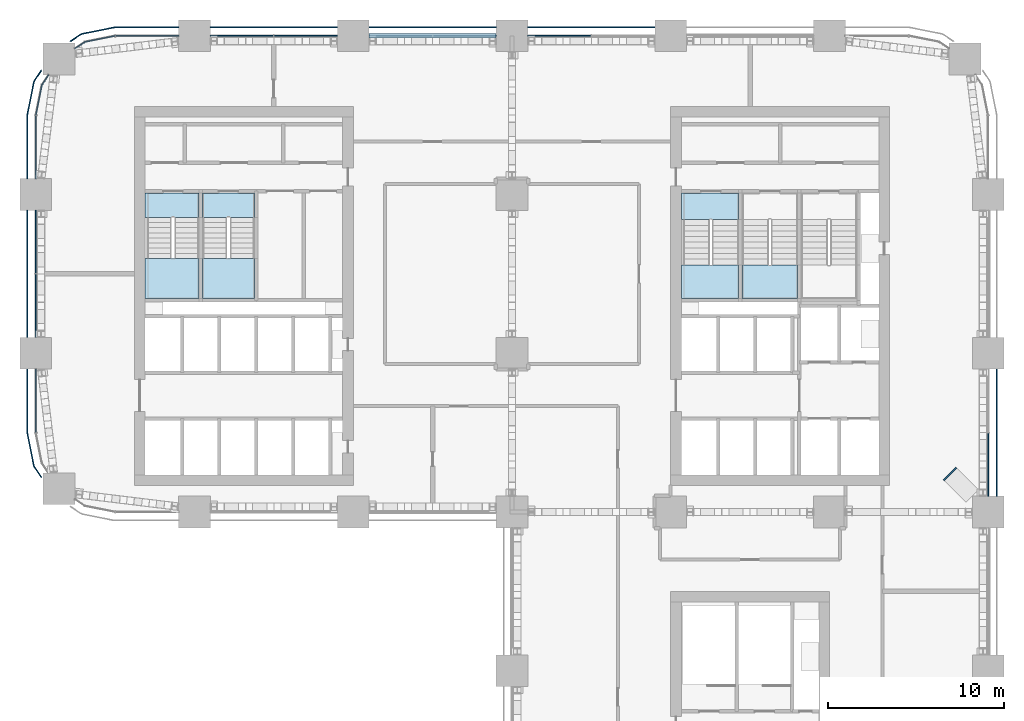
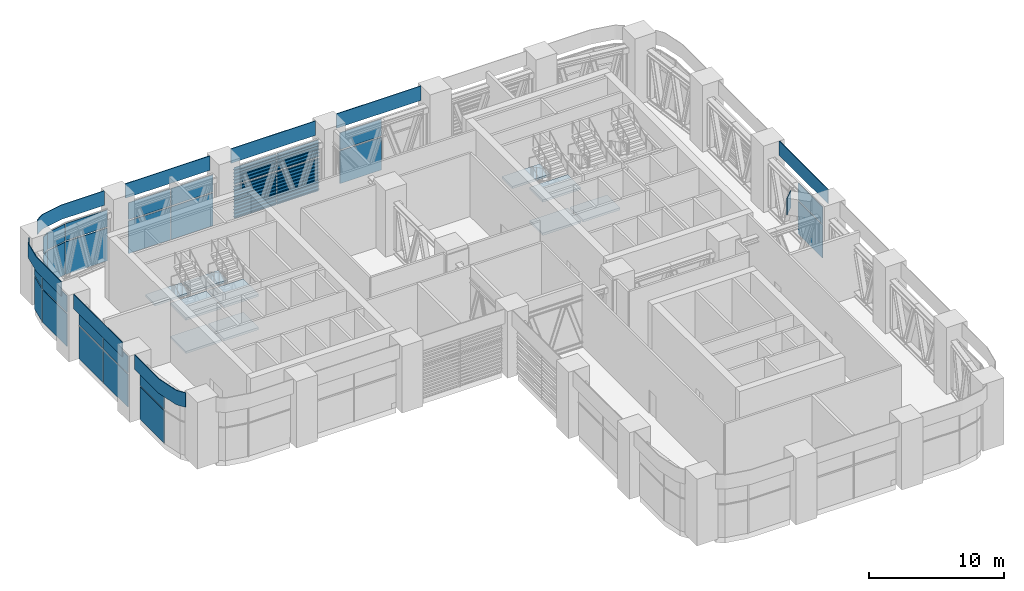
# One storey, part 12 of 24: 50 plates, 10 slabs, 12 elements without a shape of their own.
"""IFC4 building model written with IfcOpenShell, lengths in metres."""

from ifc_helpers import new_model, si_unit, direction, frame, origin, origin_2d, place, context, subcontext, project, spatial, polyline, rectangle, outline, extrude, material, layer, layer_set, type_object, element, aggregate, save


model = new_model("IFC4")

# Units and contexts
model_context = context("Model", 3, precision=1e-05, world=origin(), true_north=direction((0.0, 1.0)))
body_context = subcontext(model_context, "Body", "Model", "MODEL_VIEW")
ifc_project = project(units=[si_unit("LENGTHUNIT", "METRE"), si_unit("AREAUNIT", "SQUARE_METRE"), si_unit("VOLUMEUNIT", "CUBIC_METRE"), si_unit("PLANEANGLEUNIT", "RADIAN"), si_unit("MASSUNIT", "GRAM", prefix="KILO")], contexts=[model_context])

# Site, building, storey
site_placement = place(None, origin())
site = spatial("IfcSite", under=ifc_project, at=site_placement, CompositionType="ELEMENT")
building_placement = place(site_placement, origin())
building = spatial("IfcBuilding", under=site, at=building_placement, Name="Tessera Arch", CompositionType="ELEMENT")
storey_placement = place(building_placement, frame((0.0, 0.0, 123.39990234375)))
storey = spatial("IfcBuildingStorey", under=building, at=storey_placement, Name="L29", CompositionType="ELEMENT", Elevation=123.39990234375)

# Curtain wall, plates
ifc_material_1 = material(Name="CW7 curtain wall")
curtain_wall_type = type_object("IfcCurtainWallType", Name="CW7 curtain wall", PredefinedType="NOTDEFINED", material=ifc_material_1)
curtain_wall_1_placement = place(storey_placement, origin())
curtain_wall_1 = element("IfcCurtainWall", 1, at=curtain_wall_1_placement, inside=storey, type_object=curtain_wall_type, Name="CW7 curtain wall N54.0/1 L29", PredefinedType="NOTDEFINED")
ifc_material_2 = material(Name="Pale anodised aluminium panel", Category="aluminium")
ifc_layer_1 = layer(ifc_material_2, 0.06005859375)
ifc_layer_set_1 = layer_set([ifc_layer_1], Name="CW7 plant wall panel")
plate_type_1 = type_object("IfcPlateType", Name="CW7 plant wall panel", PredefinedType="CURTAIN_PANEL", material=ifc_layer_set_1)
plate_1_placement = place(storey_placement, frame((29.68505859375, 54.0, 0.000244140625), z_axis=(0.0, 0.0, 1.0), x_axis=(-1.0, 0.0, 0.0)))
plate_1 = element("IfcPlate", 2, at=plate_1_placement, type_object=plate_type_1, Name="CW7 plant wall panel N54.0/1 1.2.1", PredefinedType="CURTAIN_PANEL", context=body_context, shape_type="SweptSolid", body=[
    extrude(rectangle(XDim=3.570068359375, YDim=0.06005859375, at=origin_2d()), origin(), (0.0, 0.0, 1.0), 2.93994140625),
])
plate_2_placement = place(storey_placement, frame((29.68505859375, 54.0, 3.06005859375), z_axis=(0.0, 0.0, 1.0), x_axis=(-1.0, 0.0, 0.0)))
plate_2 = element("IfcPlate", 3, at=plate_2_placement, type_object=plate_type_1, Name="CW7 plant wall panel N54.0/1 1.2.2", PredefinedType="CURTAIN_PANEL", context=body_context, shape_type="SweptSolid", body=[
    extrude(rectangle(XDim=3.570068359375, YDim=0.06005859375, at=origin_2d()), origin(), (0.0, 0.0, 1.0), 1.52001953125),
])

curtain_wall_2_placement = place(storey_placement, origin())
curtain_wall_2 = element("IfcCurtainWall", 4, at=curtain_wall_2_placement, inside=storey, type_object=curtain_wall_type, Name="CW7 curtain wall N54.0/2 L29", PredefinedType="NOTDEFINED")
plate_3_placement = place(storey_placement, frame((24.31494140625, 54.0, 0.000244140625), z_axis=(0.0, 0.0, 1.0), x_axis=(-1.0, 0.0, 0.0)))
plate_3 = element("IfcPlate", 5, at=plate_3_placement, type_object=plate_type_1, Name="CW7 plant wall panel N54.0/2 1.1.1", PredefinedType="CURTAIN_PANEL", context=body_context, shape_type="SweptSolid", body=[
    extrude(rectangle(XDim=3.570068359375, YDim=0.06005859375, at=origin_2d()), origin(), (0.0, 0.0, 1.0), 2.93994140625),
])
plate_4_placement = place(storey_placement, frame((24.31494140625, 54.0, 3.06005859375), z_axis=(0.0, 0.0, 1.0), x_axis=(-1.0, 0.0, 0.0)))
plate_4 = element("IfcPlate", 6, at=plate_4_placement, type_object=plate_type_1, Name="CW7 plant wall panel N54.0/2 1.1.2", PredefinedType="CURTAIN_PANEL", context=body_context, shape_type="SweptSolid", body=[
    extrude(rectangle(XDim=3.570068359375, YDim=0.06005859375, at=origin_2d()), origin(), (0.0, 0.0, 1.0), 1.52001953125),
])
plate_5_placement = place(storey_placement, frame((20.68505859375, 54.0, 0.000244140625), z_axis=(0.0, 0.0, 1.0), x_axis=(-1.0, 0.0, 0.0)))
plate_5 = element("IfcPlate", 7, at=plate_5_placement, type_object=plate_type_1, Name="CW7 plant wall panel N54.0/2 1.2.1", PredefinedType="CURTAIN_PANEL", context=body_context, shape_type="SweptSolid", body=[
    extrude(rectangle(XDim=3.570068359375, YDim=0.06005859375, at=origin_2d()), origin(), (0.0, 0.0, 1.0), 2.93994140625),
])
plate_6_placement = place(storey_placement, frame((20.68505859375, 54.0, 3.06005859375), z_axis=(0.0, 0.0, 1.0), x_axis=(-1.0, 0.0, 0.0)))
plate_6 = element("IfcPlate", 8, at=plate_6_placement, type_object=plate_type_1, Name="CW7 plant wall panel N54.0/2 1.2.2", PredefinedType="CURTAIN_PANEL", context=body_context, shape_type="SweptSolid", body=[
    extrude(rectangle(XDim=3.570068359375, YDim=0.06005859375, at=origin_2d()), origin(), (0.0, 0.0, 1.0), 1.52001953125),
])

curtain_wall_3_placement = place(storey_placement, origin())
curtain_wall_3 = element("IfcCurtainWall", 9, at=curtain_wall_3_placement, inside=storey, type_object=curtain_wall_type, Name="CW7 curtain wall N54.0/3 L29", PredefinedType="NOTDEFINED")
plate_7_placement = place(storey_placement, frame((15.31494140625, 54.0, 0.000244140625), z_axis=(0.0, 0.0, 1.0), x_axis=(-1.0, 0.0, 0.0)))
plate_7 = element("IfcPlate", 10, at=plate_7_placement, type_object=plate_type_1, Name="CW7 plant wall panel N54.0/3 1.1.1", PredefinedType="CURTAIN_PANEL", context=body_context, shape_type="SweptSolid", body=[
    extrude(rectangle(XDim=3.570068359375, YDim=0.06005859375, at=origin_2d()), origin(), (0.0, 0.0, 1.0), 2.93994140625),
])
plate_8_placement = place(storey_placement, frame((15.31494140625, 54.0, 3.06005859375), z_axis=(0.0, 0.0, 1.0), x_axis=(-1.0, 0.0, 0.0)))
plate_8 = element("IfcPlate", 11, at=plate_8_placement, type_object=plate_type_1, Name="CW7 plant wall panel N54.0/3 1.1.2", PredefinedType="CURTAIN_PANEL", context=body_context, shape_type="SweptSolid", body=[
    extrude(rectangle(XDim=3.570068359375, YDim=0.06005859375, at=origin_2d()), origin(), (0.0, 0.0, 1.0), 1.52001953125),
])
plate_9_placement = place(storey_placement, frame((11.68505859375, 54.0, 0.000244140625), z_axis=(0.0, 0.0, 1.0), x_axis=(-1.0, 0.0, 0.0)))
plate_9 = element("IfcPlate", 12, at=plate_9_placement, type_object=plate_type_1, Name="CW7 plant wall panel N54.0/3 1.2.1", PredefinedType="CURTAIN_PANEL", context=body_context, shape_type="SweptSolid", body=[
    extrude(rectangle(XDim=3.570068359375, YDim=0.06005859375, at=origin_2d()), origin(), (0.0, 0.0, 1.0), 2.93994140625),
])
plate_10_placement = place(storey_placement, frame((11.68505859375, 54.0, 3.06005859375), z_axis=(0.0, 0.0, 1.0), x_axis=(-1.0, 0.0, 0.0)))
plate_10 = element("IfcPlate", 13, at=plate_10_placement, type_object=plate_type_1, Name="CW7 plant wall panel N54.0/3 1.2.2", PredefinedType="CURTAIN_PANEL", context=body_context, shape_type="SweptSolid", body=[
    extrude(rectangle(XDim=3.570068359375, YDim=0.06005859375, at=origin_2d()), origin(), (0.0, 0.0, 1.0), 1.52001953125),
])

curtain_wall_4_placement = place(storey_placement, origin())
curtain_wall_4 = element("IfcCurtainWall", 14, at=curtain_wall_4_placement, inside=storey, type_object=curtain_wall_type, Name="CW7 curtain wall N54.0/4 L29", PredefinedType="NOTDEFINED")
plate_11_placement = place(storey_placement, frame((6.31494140625, 54.0, 0.000244140625), z_axis=(0.0, 0.0, 1.0), x_axis=(-1.0, 0.0, 0.0)))
plate_11 = element("IfcPlate", 15, at=plate_11_placement, type_object=plate_type_1, Name="CW7 plant wall panel N54.0/4 1.1", PredefinedType="CURTAIN_PANEL", context=body_context, shape_type="SweptSolid", body=[
    extrude(rectangle(XDim=3.570068359375, YDim=0.06005859375, at=origin_2d()), origin(), (0.0, 0.0, 1.0), 2.93994140625),
])
plate_12_placement = place(storey_placement, origin())
plate_12 = element("IfcPlate", 16, at=plate_12_placement, type_object=plate_type_1, Name="CW7 curved plant wall panel N54.0/4 2.1", PredefinedType="CURTAIN_PANEL", context=body_context, shape_type="SweptSolid", body=[
    extrude(outline(polyline([(2.78955078125, 53.629150390625), (4.476318359375, 53.96484375), (4.46484375, 54.023681640625), (2.76611328125, 53.685791015625), (2.201416015625, 53.308349609375), (2.234619140625, 53.25830078125), (2.78955078125, 53.629150390625)])), origin(), (0.0, 0.0, 1.0), 2.940185546875),
])
plate_13_placement = place(storey_placement, frame((6.31494140625, 54.0, 3.06005859375), z_axis=(0.0, 0.0, 1.0), x_axis=(-1.0, 0.0, 0.0)))
plate_13 = element("IfcPlate", 17, at=plate_13_placement, type_object=plate_type_1, Name="CW7 plant wall panel N54.0/4 1.2", PredefinedType="CURTAIN_PANEL", context=body_context, shape_type="SweptSolid", body=[
    extrude(rectangle(XDim=3.570068359375, YDim=0.06005859375, at=origin_2d()), origin(), (0.0, 0.0, 1.0), 1.52001953125),
])
plate_14_placement = place(storey_placement, frame((0.0, 0.0, 3.06005859375)))
plate_14 = element("IfcPlate", 18, at=plate_14_placement, type_object=plate_type_1, Name="CW7 curved plant wall panel N54.0/4 2.2", PredefinedType="CURTAIN_PANEL", context=body_context, shape_type="SweptSolid", body=[
    extrude(outline(polyline([(2.78955078125, 53.629150390625), (4.476318359375, 53.96484375), (4.46484375, 54.023681640625), (2.76611328125, 53.685791015625), (2.201416015625, 53.308349609375), (2.234619140625, 53.25830078125), (2.78955078125, 53.629150390625)])), origin(), (0.0, 0.0, 1.0), 1.52001953125),
])

curtain_wall_5_placement = place(storey_placement, origin())
curtain_wall_5 = element("IfcCurtainWall", 19, at=curtain_wall_5_placement, inside=storey, type_object=curtain_wall_type, Name="CW7 curtain wall W0.27/0 L29", PredefinedType="NOTDEFINED")
plate_15_placement = place(storey_placement, frame((0.0, 47.68505859375, 0.000244140625), z_axis=(0.0, 0.0, 1.0), x_axis=(0.0, -1.0, 0.0)))
plate_15 = element("IfcPlate", 20, at=plate_15_placement, type_object=plate_type_1, Name="CW7 plant wall panel W0.27/0 1.1", PredefinedType="CURTAIN_PANEL", context=body_context, shape_type="SweptSolid", body=[
    extrude(rectangle(XDim=3.570068359375, YDim=0.06005859375, at=origin_2d()), origin(), (0.0, 0.0, 1.0), 2.93994140625),
])
plate_16_placement = place(storey_placement, origin())
plate_16 = element("IfcPlate", 21, at=plate_16_placement, type_object=plate_type_1, Name="CW7 curved plant wall panel W0.27/0 2.1", PredefinedType="CURTAIN_PANEL", context=body_context, shape_type="SweptSolid", body=[
    extrude(outline(polyline([(0.370849609375, 51.21044921875), (0.74169921875, 51.765380859375), (0.691650390625, 51.798583984375), (0.314208984375, 51.23388671875), (-0.023681640625, 49.53515625), (0.03515625, 49.523681640625), (0.370849609375, 51.21044921875)])), origin(), (0.0, 0.0, 1.0), 2.940185546875),
])
plate_17_placement = place(storey_placement, frame((0.0, 47.68505859375, 3.06005859375), z_axis=(0.0, 0.0, 1.0), x_axis=(0.0, -1.0, 0.0)))
plate_17 = element("IfcPlate", 22, at=plate_17_placement, type_object=plate_type_1, Name="CW7 plant wall panel W0.27/0 1.2", PredefinedType="CURTAIN_PANEL", context=body_context, shape_type="SweptSolid", body=[
    extrude(rectangle(XDim=3.570068359375, YDim=0.06005859375, at=origin_2d()), origin(), (0.0, 0.0, 1.0), 1.52001953125),
])
plate_18_placement = place(storey_placement, frame((0.0, 0.0, 3.06005859375)))
plate_18 = element("IfcPlate", 23, at=plate_18_placement, type_object=plate_type_1, Name="CW7 curved plant wall panel W0.27/0 2.2", PredefinedType="CURTAIN_PANEL", context=body_context, shape_type="SweptSolid", body=[
    extrude(outline(polyline([(0.370849609375, 51.21044921875), (0.74169921875, 51.765380859375), (0.691650390625, 51.798583984375), (0.314208984375, 51.23388671875), (-0.023681640625, 49.53515625), (0.03515625, 49.523681640625), (0.370849609375, 51.21044921875)])), origin(), (0.0, 0.0, 1.0), 1.52001953125),
])

curtain_wall_6_placement = place(storey_placement, origin())
curtain_wall_6 = element("IfcCurtainWall", 24, at=curtain_wall_6_placement, inside=storey, type_object=curtain_wall_type, Name="CW7 curtain wall W0.27/1 L29", PredefinedType="NOTDEFINED")
plate_19_placement = place(storey_placement, frame((0.0, 42.31494140625, 0.000244140625), z_axis=(0.0, 0.0, 1.0), x_axis=(0.0, -1.0, 0.0)))
plate_19 = element("IfcPlate", 25, at=plate_19_placement, type_object=plate_type_1, Name="CW7 plant wall panel W0.27/1 1.1.1", PredefinedType="CURTAIN_PANEL", context=body_context, shape_type="SweptSolid", body=[
    extrude(rectangle(XDim=3.570068359375, YDim=0.06005859375, at=origin_2d()), origin(), (0.0, 0.0, 1.0), 2.93994140625),
])
plate_20_placement = place(storey_placement, frame((0.0, 42.31494140625, 3.06005859375), z_axis=(0.0, 0.0, 1.0), x_axis=(0.0, -1.0, 0.0)))
plate_20 = element("IfcPlate", 26, at=plate_20_placement, type_object=plate_type_1, Name="CW7 plant wall panel W0.27/1 1.1.2", PredefinedType="CURTAIN_PANEL", context=body_context, shape_type="SweptSolid", body=[
    extrude(rectangle(XDim=3.570068359375, YDim=0.06005859375, at=origin_2d()), origin(), (0.0, 0.0, 1.0), 1.52001953125),
])
plate_21_placement = place(storey_placement, frame((0.0, 38.68505859375, 0.000244140625), z_axis=(0.0, 0.0, 1.0), x_axis=(0.0, -1.0, 0.0)))
plate_21 = element("IfcPlate", 27, at=plate_21_placement, type_object=plate_type_1, Name="CW7 plant wall panel W0.27/1 1.2.1", PredefinedType="CURTAIN_PANEL", context=body_context, shape_type="SweptSolid", body=[
    extrude(rectangle(XDim=3.570068359375, YDim=0.06005859375, at=origin_2d()), origin(), (0.0, 0.0, 1.0), 2.93994140625),
])
plate_22_placement = place(storey_placement, frame((0.0, 38.68505859375, 3.06005859375), z_axis=(0.0, 0.0, 1.0), x_axis=(0.0, -1.0, 0.0)))
plate_22 = element("IfcPlate", 28, at=plate_22_placement, type_object=plate_type_1, Name="CW7 plant wall panel W0.27/1 1.2.2", PredefinedType="CURTAIN_PANEL", context=body_context, shape_type="SweptSolid", body=[
    extrude(rectangle(XDim=3.570068359375, YDim=0.06005859375, at=origin_2d()), origin(), (0.0, 0.0, 1.0), 1.52001953125),
])

curtain_wall_7_placement = place(storey_placement, origin())
curtain_wall_7 = element("IfcCurtainWall", 29, at=curtain_wall_7_placement, inside=storey, type_object=curtain_wall_type, Name="CW7 curtain wall W0.27/2 L29", PredefinedType="NOTDEFINED")
plate_23_placement = place(storey_placement, frame((0.0, 33.31494140625, 0.000244140625), z_axis=(0.0, 0.0, 1.0), x_axis=(0.0, -1.0, 0.0)))
plate_23 = element("IfcPlate", 30, at=plate_23_placement, type_object=plate_type_1, Name="CW7 plant wall panel W0.27/2 1.1", PredefinedType="CURTAIN_PANEL", context=body_context, shape_type="SweptSolid", body=[
    extrude(rectangle(XDim=3.570068359375, YDim=0.06005859375, at=origin_2d()), origin(), (0.0, 0.0, 1.0), 2.93994140625),
])
plate_24_placement = place(storey_placement, frame((0.0, 33.31494140625, 3.06005859375), z_axis=(0.0, 0.0, 1.0), x_axis=(0.0, -1.0, 0.0)))
plate_24 = element("IfcPlate", 31, at=plate_24_placement, type_object=plate_type_1, Name="CW7 plant wall panel W0.27/2 1.2", PredefinedType="CURTAIN_PANEL", context=body_context, shape_type="SweptSolid", body=[
    extrude(rectangle(XDim=3.570068359375, YDim=0.06005859375, at=origin_2d()), origin(), (0.0, 0.0, 1.0), 1.52001953125),
])

curtain_wall_8_placement = place(storey_placement, origin())
curtain_wall_8 = element("IfcCurtainWall", 32, at=curtain_wall_8_placement, inside=storey, type_object=curtain_wall_type, Name="CW7 curtain wall E54.0/3 L29", PredefinedType="NOTDEFINED")
plate_25_placement = place(storey_placement, frame((54.0, 29.68505859375, 0.000244140625), z_axis=(0.0, 0.0, 1.0), x_axis=(0.0, 1.0, 0.0)))
plate_25 = element("IfcPlate", 33, at=plate_25_placement, type_object=plate_type_1, Name="CW7 plant wall panel E54.0/3 1.1.1", PredefinedType="CURTAIN_PANEL", context=body_context, shape_type="SweptSolid", body=[
    extrude(rectangle(XDim=3.570068359375, YDim=0.06005859375, at=origin_2d()), origin(), (0.0, 0.0, 1.0), 2.93994140625),
])
plate_26_placement = place(storey_placement, frame((54.0, 29.68505859375, 3.06005859375), z_axis=(0.0, 0.0, 1.0), x_axis=(0.0, 1.0, 0.0)))
plate_26 = element("IfcPlate", 34, at=plate_26_placement, type_object=plate_type_1, Name="CW7 plant wall panel E54.0/3 1.1.2", PredefinedType="CURTAIN_PANEL", context=body_context, shape_type="SweptSolid", body=[
    extrude(rectangle(XDim=3.570068359375, YDim=0.06005859375, at=origin_2d()), origin(), (0.0, 0.0, 1.0), 1.52001953125),
])

# Plate
ifc_material_3 = material(Name="Pale anodised aluminium panel", Category="aluminium")
ifc_layer_2 = layer(ifc_material_3, 0.06005859375)
ifc_layer_set_2 = layer_set([ifc_layer_2], Name="CW7 spandrel panel")
plate_type_2 = type_object("IfcPlateType", Name="CW7 spandrel panel", PredefinedType="CURTAIN_PANEL", material=ifc_layer_set_2)
plate_27_placement = place(storey_placement, frame((31.5, 54.47998046875, 4.7001953125), z_axis=(0.0, 0.0, 1.0), x_axis=(-1.0, 0.0, 0.0)))
plate_27 = element("IfcPlate", 35, at=plate_27_placement, type_object=plate_type_2, Name="CW7 spandrel panel N54.0/1", PredefinedType="CURTAIN_PANEL", context=body_context, shape_type="SweptSolid", body=[
    extrude(rectangle(XDim=7.199951171875, YDim=0.06005859375, at=origin_2d()), origin(), (0.0, 0.0, 1.0), 1.300048828125),
])

aggregate(curtain_wall_1, [plate_1, plate_2, plate_27])

plate_28_placement = place(storey_placement, frame((22.5, 54.47998046875, 4.7001953125), z_axis=(0.0, 0.0, 1.0), x_axis=(-1.0, 0.0, 0.0)))
plate_28 = element("IfcPlate", 36, at=plate_28_placement, type_object=plate_type_2, Name="CW7 spandrel panel N54.0/2", PredefinedType="CURTAIN_PANEL", context=body_context, shape_type="SweptSolid", body=[
    extrude(rectangle(XDim=7.199951171875, YDim=0.06005859375, at=origin_2d()), origin(), (0.0, 0.0, 1.0), 1.300048828125),
])

aggregate(curtain_wall_2, [plate_3, plate_4, plate_5, plate_6, plate_28])

plate_29_placement = place(storey_placement, frame((13.5, 54.47998046875, 4.7001953125), z_axis=(0.0, 0.0, 1.0), x_axis=(-1.0, 0.0, 0.0)))
plate_29 = element("IfcPlate", 37, at=plate_29_placement, type_object=plate_type_2, Name="CW7 spandrel panel N54.0/3", PredefinedType="CURTAIN_PANEL", context=body_context, shape_type="SweptSolid", body=[
    extrude(rectangle(XDim=7.199951171875, YDim=0.06005859375, at=origin_2d()), origin(), (0.0, 0.0, 1.0), 1.300048828125),
])

aggregate(curtain_wall_3, [plate_7, plate_8, plate_9, plate_10, plate_29])

plate_30_placement = place(storey_placement, frame((0.0, 0.0, 4.7001953125)))
plate_30 = element("IfcPlate", 38, at=plate_30_placement, type_object=plate_type_2, Name="CW7 spandrel panel N54.0/4", PredefinedType="CURTAIN_PANEL", context=body_context, shape_type="SweptSolid", body=[
    extrude(outline(polyline([(4.500732421875, 54.449951171875), (8.10009765625, 54.449951171875), (8.10009765625, 54.510009765625), (4.499267578125, 54.510009765625), (4.449951171875, 54.507568359375), (4.401123046875, 54.500244140625), (2.677734375, 54.157470703125), (2.6298828125, 54.1455078125), (2.582763671875, 54.128662109375), (2.537353515625, 54.107177734375), (2.4951171875, 54.08203125), (1.9345703125, 53.707275390625), (1.968017578125, 53.657470703125), (2.52734375, 54.03125), (2.565673828125, 54.05419921875), (2.605712890625, 54.0732421875), (2.647216796875, 54.088134765625), (2.69091796875, 54.09912109375), (4.411376953125, 54.441162109375), (4.455810546875, 54.44775390625), (4.500732421875, 54.449951171875)])), origin(), (0.0, 0.0, 1.0), 1.2998046875),
])

aggregate(curtain_wall_4, [plate_11, plate_12, plate_13, plate_14, plate_30])

plate_31_placement = place(storey_placement, frame((0.0, 0.0, 4.7001953125)))
plate_31 = element("IfcPlate", 39, at=plate_31_placement, type_object=plate_type_2, Name="CW7 spandrel panel W0.27/0", PredefinedType="CURTAIN_PANEL", context=body_context, shape_type="SweptSolid", body=[
    extrude(outline(polyline([(-0.03125, 51.47265625), (0.342529296875, 52.031982421875), (0.292724609375, 52.0654296875), (-0.08203125, 51.5048828125), (-0.107177734375, 51.462646484375), (-0.128662109375, 51.417236328125), (-0.1455078125, 51.3701171875), (-0.157470703125, 51.322265625), (-0.500244140625, 49.598876953125), (-0.507568359375, 49.550048828125), (-0.510009765625, 49.500732421875), (-0.510009765625, 45.89990234375), (-0.449951171875, 45.89990234375), (-0.449951171875, 49.499267578125), (-0.44775390625, 49.544189453125), (-0.441162109375, 49.588623046875), (-0.09912109375, 51.30908203125), (-0.088134765625, 51.352783203125), (-0.0732421875, 51.394287109375), (-0.05419921875, 51.434326171875), (-0.03125, 51.47265625)])), origin(), (0.0, 0.0, 1.0), 1.2998046875),
])

aggregate(curtain_wall_5, [plate_15, plate_16, plate_17, plate_18, plate_31])

plate_32_placement = place(storey_placement, frame((-0.47998046875, 40.5, 4.7001953125), z_axis=(0.0, 0.0, 1.0), x_axis=(0.0, -1.0, 0.0)))
plate_32 = element("IfcPlate", 40, at=plate_32_placement, type_object=plate_type_2, Name="CW7 spandrel panel W0.27/1", PredefinedType="CURTAIN_PANEL", context=body_context, shape_type="SweptSolid", body=[
    extrude(rectangle(XDim=7.199951171875, YDim=0.06005859375, at=origin_2d()), origin(), (0.0, 0.0, 1.0), 1.300048828125),
])

aggregate(curtain_wall_6, [plate_19, plate_20, plate_21, plate_22, plate_32])

plate_33_placement = place(storey_placement, frame((0.0, 0.0, 4.7001953125)))
plate_33 = element("IfcPlate", 41, at=plate_33_placement, type_object=plate_type_2, Name="CW7 spandrel panel W0.27/2", PredefinedType="CURTAIN_PANEL", context=body_context, shape_type="SweptSolid", body=[
    extrude(outline(polyline([(-0.449951171875, 31.500732421875), (-0.449951171875, 35.10009765625), (-0.510009765625, 35.10009765625), (-0.510009765625, 31.499267578125), (-0.507568359375, 31.449951171875), (-0.500244140625, 31.401123046875), (-0.157470703125, 29.677734375), (-0.1455078125, 29.6298828125), (-0.128662109375, 29.582763671875), (-0.107177734375, 29.537353515625), (-0.08203125, 29.4951171875), (0.292724609375, 28.9345703125), (0.342529296875, 28.968017578125), (-0.03125, 29.52734375), (-0.05419921875, 29.565673828125), (-0.0732421875, 29.605712890625), (-0.088134765625, 29.647216796875), (-0.09912109375, 29.69091796875), (-0.441162109375, 31.411376953125), (-0.44775390625, 31.455810546875), (-0.449951171875, 31.500732421875)])), origin(), (0.0, 0.0, 1.0), 1.2998046875),
])

aggregate(curtain_wall_7, [plate_23, plate_24, plate_33])

plate_34_placement = place(storey_placement, frame((54.47998046875, 31.5, 4.7001953125), z_axis=(0.0, 0.0, 1.0), x_axis=(0.0, 1.0, 0.0)))
plate_34 = element("IfcPlate", 42, at=plate_34_placement, type_object=plate_type_2, Name="CW7 spandrel panel E54.0/3", PredefinedType="CURTAIN_PANEL", context=body_context, shape_type="SweptSolid", body=[
    extrude(rectangle(XDim=7.199951171875, YDim=0.06005859375, at=origin_2d()), origin(), (0.0, 0.0, 1.0), 1.300048828125),
])

aggregate(curtain_wall_8, [plate_25, plate_26, plate_34])

# Plates
ifc_material_4 = material(Name="Steel A572 Gr50", Category="steel")
ifc_layer_3 = layer(ifc_material_4, 0.06005859375)
ifc_layer_set_3 = layer_set([ifc_layer_3], Name="End plate BOX 1000x1500x80")
plate_type_3 = type_object("IfcPlateType", Name="End plate BOX 1000x1500x80", PredefinedType="SHEET", material=ifc_layer_set_3)
plate_35_placement = place(storey_placement, frame((51.861328125, 29.138671875, 4.9501953125), z_axis=(-0.707106781187, 0.707106781187, 0.0), x_axis=(-0.707106781187, -0.707106781187, 0.0)))
element("IfcPlate", 43, at=plate_35_placement, inside=storey, type_object=plate_type_3, Name="End plate BOX 1000x1500x80 corner transfer girder C7D 2 L29", PredefinedType="SHEET", context=body_context, shape_type="SweptSolid", body=[
    extrude(rectangle(XDim=1.0, YDim=1.5, at=origin_2d()), origin(), (0.0, 0.0, 1.0), 0.06005859375),
])
ifc_material_5 = material(Name="Aluminium louvre pale metal anodised", Category="aluminium")
ifc_layer_4 = layer(ifc_material_5, 0.02001953125)
ifc_layer_set_4 = layer_set([ifc_layer_4], Name="Plant louvre blade")
plate_type_4 = type_object("IfcPlateType", Name="Plant louvre blade", PredefinedType="USERDEFINED", material=ifc_layer_set_4)
plate_36_placement = place(storey_placement, frame((26.10009765625, 54.125, 0.150146484375), z_axis=(0.0, 0.269874067237, 0.962895626656), x_axis=(-1.0, 0.0, 0.0)))
element("IfcPlate", 44, at=plate_36_placement, inside=storey, type_object=plate_type_4, Name="Louvre blade N54.0/2 1", ObjectType="LOUVER", PredefinedType="USERDEFINED", context=body_context, shape_type="SweptSolid", body=[
    extrude(outline(polyline([(0.0, 0.0), (7.2001953125, 0.0), (7.2001953125, 0.25963353979311715), (0.0, 0.25963353979311715), (0.0, 0.0)])), origin(), (0.0, 0.0, -1.0), 0.02001953125),
])
plate_37_placement = place(storey_placement, frame((26.10009765625, 54.125, 0.4501953125), z_axis=(0.0, 0.269001893813, 0.963139647779), x_axis=(-1.0, 0.0, 0.0)))
element("IfcPlate", 45, at=plate_37_placement, inside=storey, type_object=plate_type_4, Name="Louvre blade N54.0/2 2", ObjectType="LOUVER", PredefinedType="USERDEFINED", context=body_context, shape_type="SweptSolid", body=[
    extrude(outline(polyline([(0.0, 0.0), (7.2001953125, 0.0), (7.2001953125, 0.25956775902266416), (0.0, 0.25956775902266416), (0.0, 0.0)])), origin(), (0.0, 0.0, -1.0), 0.02001953125),
])
for number, where, z_axis, x_axis, name in (
    (46, (26.10009765625, 54.125, 0.75), (0.0, 0.269874067237, 0.962895626656), (-1.0, 0.0, 0.0), "Louvre blade N54.0/2 3"),
    (47, (26.10009765625, 54.125, 1.050048828125), (0.0, 0.269874067237, 0.962895626656), (-1.0, 0.0, 0.0), "Louvre blade N54.0/2 4"),
    (48, (26.10009765625, 54.125, 1.35009765625), (0.0, 0.269874067237, 0.962895626656), (-1.0, 0.0, 0.0), "Louvre blade N54.0/2 5"),
    (49, (26.10009765625, 54.125, 1.650146484375), (0.0, 0.269874067237, 0.962895626656), (-1.0, 0.0, 0.0), "Louvre blade N54.0/2 6"),
):
    element("IfcPlate", number, at=place(storey_placement, frame(where, z_axis=z_axis, x_axis=x_axis)), inside=storey, type_object=plate_type_4, Name=name, ObjectType="LOUVER", PredefinedType="USERDEFINED", context=body_context, shape_type="SweptSolid", body=[
        extrude(outline(polyline([(0.0, 0.0), (7.2001953125, 0.0), (7.2001953125, 0.25963353979311715), (0.0, 0.25963353979311715), (0.0, 0.0)])), origin(), (0.0, 0.0, -1.0), 0.02001953125),
    ])
plate_38_placement = place(storey_placement, frame((26.10009765625, 54.125, 1.9501953125), z_axis=(0.0, 0.269001893813, 0.963139647779), x_axis=(-1.0, 0.0, 0.0)))
element("IfcPlate", 50, at=plate_38_placement, inside=storey, type_object=plate_type_4, Name="Louvre blade N54.0/2 7", ObjectType="LOUVER", PredefinedType="USERDEFINED", context=body_context, shape_type="SweptSolid", body=[
    extrude(outline(polyline([(0.0, 0.0), (7.2001953125, 0.0), (7.2001953125, 0.25956775902266416), (0.0, 0.25956775902266416), (0.0, 0.0)])), origin(), (0.0, 0.0, -1.0), 0.02001953125),
])
for number, where, z_axis, x_axis, name in (
    (51, (26.10009765625, 54.125, 2.25), (0.0, 0.269874067237, 0.962895626656), (-1.0, 0.0, 0.0), "Louvre blade N54.0/2 8"),
    (52, (26.10009765625, 54.125, 2.550048828125), (0.0, 0.269874067237, 0.962895626656), (-1.0, 0.0, 0.0), "Louvre blade N54.0/2 9"),
    (53, (26.10009765625, 54.125, 2.85009765625), (0.0, 0.269874067237, 0.962895626656), (-1.0, 0.0, 0.0), "Louvre blade N54.0/2 10"),
    (54, (26.10009765625, 54.125, 3.150146484375), (0.0, 0.269874067237, 0.962895626656), (-1.0, 0.0, 0.0), "Louvre blade N54.0/2 11"),
):
    element("IfcPlate", number, at=place(storey_placement, frame(where, z_axis=z_axis, x_axis=x_axis)), inside=storey, type_object=plate_type_4, Name=name, ObjectType="LOUVER", PredefinedType="USERDEFINED", context=body_context, shape_type="SweptSolid", body=[
        extrude(outline(polyline([(0.0, 0.0), (7.2001953125, 0.0), (7.2001953125, 0.25963353979311715), (0.0, 0.25963353979311715), (0.0, 0.0)])), origin(), (0.0, 0.0, -1.0), 0.02001953125),
    ])
plate_39_placement = place(storey_placement, frame((26.10009765625, 54.125, 3.4501953125), z_axis=(0.0, 0.269001893813, 0.963139647779), x_axis=(-1.0, 0.0, 0.0)))
element("IfcPlate", 55, at=plate_39_placement, inside=storey, type_object=plate_type_4, Name="Louvre blade N54.0/2 12", ObjectType="LOUVER", PredefinedType="USERDEFINED", context=body_context, shape_type="SweptSolid", body=[
    extrude(outline(polyline([(0.0, 0.0), (7.2001953125, 0.0), (7.2001953125, 0.25956775902266416), (0.0, 0.25956775902266416), (0.0, 0.0)])), origin(), (0.0, 0.0, -1.0), 0.02001953125),
])
for number, where, z_axis, x_axis, name in (
    (56, (26.10009765625, 54.125, 3.75), (0.0, 0.269874067237, 0.962895626656), (-1.0, 0.0, 0.0), "Louvre blade N54.0/2 13"),
    (57, (26.10009765625, 54.125, 4.050048828125), (0.0, 0.269874067237, 0.962895626656), (-1.0, 0.0, 0.0), "Louvre blade N54.0/2 14"),
    (58, (26.10009765625, 54.125, 4.35009765625), (0.0, 0.269874067237, 0.962895626656), (-1.0, 0.0, 0.0), "Louvre blade N54.0/2 15"),
):
    element("IfcPlate", number, at=place(storey_placement, frame(where, z_axis=z_axis, x_axis=x_axis)), inside=storey, type_object=plate_type_4, Name=name, ObjectType="LOUVER", PredefinedType="USERDEFINED", context=body_context, shape_type="SweptSolid", body=[
        extrude(outline(polyline([(0.0, 0.0), (7.2001953125, 0.0), (7.2001953125, 0.25963353979311715), (0.0, 0.25963353979311715), (0.0, 0.0)])), origin(), (0.0, 0.0, -1.0), 0.02001953125),
    ])

# Stair, slabs
ifc_material_6 = material(Name="Concrete C40/50", Category="concrete")
stair_type_1 = type_object("IfcStairType", Name="Dogleg stair 1520", PredefinedType="HALF_TURN_STAIR", material=ifc_material_6)
stair_1_placement = place(storey_placement, origin())
stair_1 = element("IfcStair", 59, at=stair_1_placement, inside=storey, type_object=stair_type_1, Name="L29 S1a", PredefinedType="HALF_TURN_STAIR")
ifc_material_7 = material(Name="Concrete C40/50", Category="concrete")
ifc_layer_5 = layer(ifc_material_7, 0.300048828125)
ifc_layer_set_5 = layer_set([ifc_layer_5], Name="Stair landing 300")
slab_type = type_object("IfcSlabType", Name="Stair landing 300", PredefinedType="LANDING", material=ifc_layer_set_5)
slab_1_placement = place(storey_placement, frame((0.0, 0.0, 1.300048828125)))
slab_1 = element("IfcSlab", 60, at=slab_1_placement, type_object=slab_type, Name="S1a landing 1", PredefinedType="LANDING", context=body_context, shape_type="SweptSolid", body=[
    extrude(outline(polyline([(36.60009765625, 41.02001953125), (36.60009765625, 39.10009765625), (39.85009765625, 39.10009765625), (39.85009765625, 41.02001953125), (36.60009765625, 41.02001953125)])), origin(), (0.0, 0.0, 1.0), 0.199951171875),
])
slab_2_placement = place(storey_placement, frame((0.0, 0.0, 2.800048828125)))
slab_2 = element("IfcSlab", 61, at=slab_2_placement, type_object=slab_type, Name="S1a landing 2", PredefinedType="LANDING", context=body_context, shape_type="SweptSolid", body=[
    extrude(outline(polyline([(36.60009765625, 45.10009765625), (36.60009765625, 43.580078125), (39.85009765625, 43.580078125), (39.85009765625, 45.10009765625), (36.60009765625, 45.10009765625)])), origin(), (0.0, 0.0, 1.0), 0.199951171875),
])
slab_3_placement = place(storey_placement, frame((0.0, 0.0, 4.300048828125)))
slab_3 = element("IfcSlab", 62, at=slab_3_placement, type_object=slab_type, Name="S1a landing 3", PredefinedType="LANDING", context=body_context, shape_type="SweptSolid", body=[
    extrude(outline(polyline([(36.60009765625, 41.02001953125), (36.60009765625, 39.10009765625), (39.85009765625, 39.10009765625), (39.85009765625, 41.02001953125), (36.60009765625, 41.02001953125)])), origin(), (0.0, 0.0, 1.0), 0.199951171875),
])
aggregate(stair_1, [slab_1, slab_2, slab_3])

# Stair, slab
stair_2_placement = place(storey_placement, origin())
stair_2 = element("IfcStair", 63, at=stair_2_placement, inside=storey, type_object=stair_type_1, Name="L29 S1b", PredefinedType="HALF_TURN_STAIR")
slab_4_placement = place(storey_placement, frame((0.0, 0.0, 1.300048828125)))
slab_4 = element("IfcSlab", 64, at=slab_4_placement, type_object=slab_type, Name="S1b landing 1", PredefinedType="LANDING", context=body_context, shape_type="SweptSolid", body=[
    extrude(outline(polyline([(40.050048828125, 41.02001953125), (40.050048828125, 39.10009765625), (43.199951171875, 39.10009765625), (43.199951171875, 41.02001953125), (40.050048828125, 41.02001953125)])), origin(), (0.0, 0.0, 1.0), 0.199951171875),
])
aggregate(stair_2, [slab_4])

# Stair, slabs
ifc_material_8 = material(Name="Concrete C40/50", Category="concrete")
stair_type_2 = type_object("IfcStairType", Name="Dogleg stair 1400", PredefinedType="HALF_TURN_STAIR", material=ifc_material_8)
stair_3_placement = place(storey_placement, origin())
stair_3 = element("IfcStair", 65, at=stair_3_placement, inside=storey, type_object=stair_type_2, Name="L29 S2a", PredefinedType="HALF_TURN_STAIR")
slab_5_placement = place(storey_placement, frame((0.0, 0.0, 1.300048828125)))
slab_5 = element("IfcSlab", 66, at=slab_5_placement, type_object=slab_type, Name="S2a landing 1", PredefinedType="LANDING", context=body_context, shape_type="SweptSolid", body=[
    extrude(outline(polyline([(6.199951171875, 41.3798828125), (6.199951171875, 39.10009765625), (9.25, 39.10009765625), (9.25, 41.3798828125), (6.199951171875, 41.3798828125)])), origin(), (0.0, 0.0, 1.0), 0.199951171875),
])
slab_6_placement = place(storey_placement, frame((0.0, 0.0, 2.800048828125)))
slab_6 = element("IfcSlab", 67, at=slab_6_placement, type_object=slab_type, Name="S2a landing 2", PredefinedType="LANDING", context=body_context, shape_type="SweptSolid", body=[
    extrude(outline(polyline([(6.199951171875, 45.10009765625), (6.199951171875, 43.699951171875), (9.25, 43.699951171875), (9.25, 45.10009765625), (6.199951171875, 45.10009765625)])), origin(), (0.0, 0.0, 1.0), 0.199951171875),
])
slab_7_placement = place(storey_placement, frame((0.0, 0.0, 4.300048828125)))
slab_7 = element("IfcSlab", 68, at=slab_7_placement, type_object=slab_type, Name="S2a landing 3", PredefinedType="LANDING", context=body_context, shape_type="SweptSolid", body=[
    extrude(outline(polyline([(6.199951171875, 41.3798828125), (6.199951171875, 39.10009765625), (9.25, 39.10009765625), (9.25, 41.3798828125), (6.199951171875, 41.3798828125)])), origin(), (0.0, 0.0, 1.0), 0.199951171875),
])
aggregate(stair_3, [slab_5, slab_6, slab_7])

stair_4_placement = place(storey_placement, origin())
stair_4 = element("IfcStair", 69, at=stair_4_placement, inside=storey, type_object=stair_type_2, Name="L29 S2b", PredefinedType="HALF_TURN_STAIR")
slab_8_placement = place(storey_placement, frame((0.0, 0.0, 1.300048828125)))
slab_8 = element("IfcSlab", 70, at=slab_8_placement, type_object=slab_type, Name="S2b landing 1", PredefinedType="LANDING", context=body_context, shape_type="SweptSolid", body=[
    extrude(outline(polyline([(9.449951171875, 41.3798828125), (9.449951171875, 39.10009765625), (12.39990234375, 39.10009765625), (12.39990234375, 41.3798828125), (9.449951171875, 41.3798828125)])), origin(), (0.0, 0.0, 1.0), 0.199951171875),
])
slab_9_placement = place(storey_placement, frame((0.0, 0.0, 2.800048828125)))
slab_9 = element("IfcSlab", 71, at=slab_9_placement, type_object=slab_type, Name="S2b landing 2", PredefinedType="LANDING", context=body_context, shape_type="SweptSolid", body=[
    extrude(outline(polyline([(9.449951171875, 45.10009765625), (9.449951171875, 43.699951171875), (12.39990234375, 43.699951171875), (12.39990234375, 45.10009765625), (9.449951171875, 45.10009765625)])), origin(), (0.0, 0.0, 1.0), 0.199951171875),
])
slab_10_placement = place(storey_placement, frame((0.0, 0.0, 4.300048828125)))
slab_10 = element("IfcSlab", 72, at=slab_10_placement, type_object=slab_type, Name="S2b landing 3", PredefinedType="LANDING", context=body_context, shape_type="SweptSolid", body=[
    extrude(outline(polyline([(9.449951171875, 41.3798828125), (9.449951171875, 39.10009765625), (12.39990234375, 39.10009765625), (12.39990234375, 41.3798828125), (9.449951171875, 41.3798828125)])), origin(), (0.0, 0.0, 1.0), 0.199951171875),
])
aggregate(stair_4, [slab_8, slab_9, slab_10])

save(model, "model.ifc")
